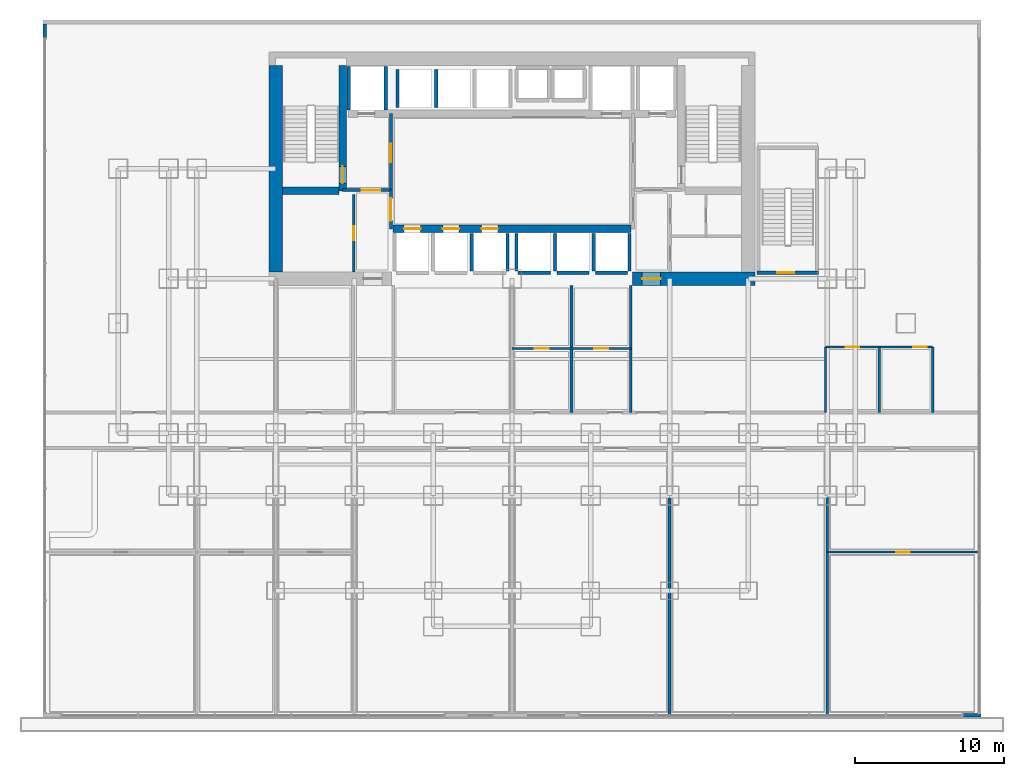
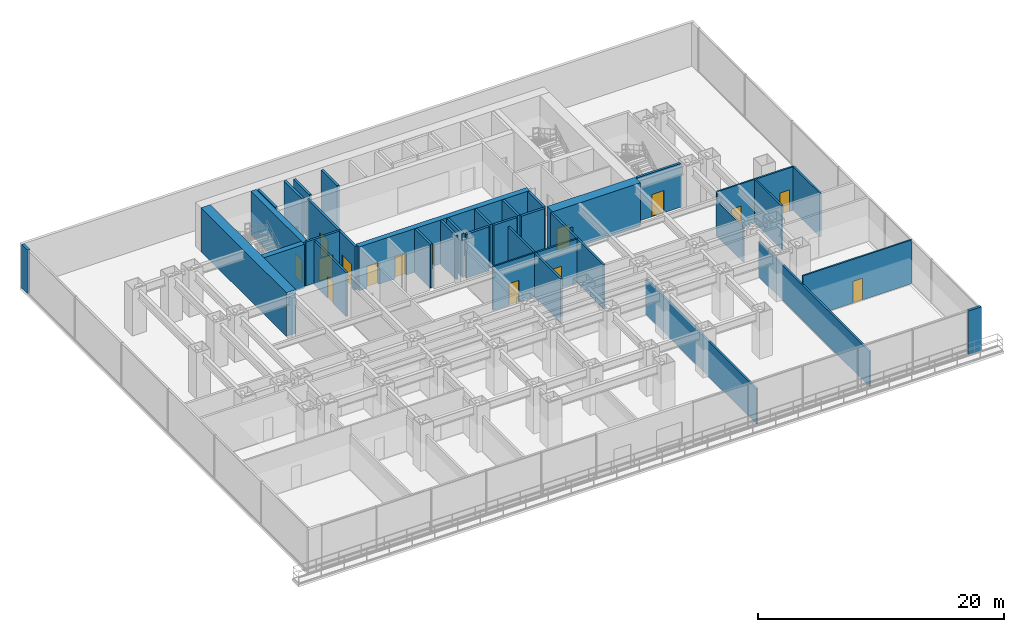
# One storey, part 9 of 13: 35 walls, 15 doors, 15 openings.
"""IFC4 building model written with IfcOpenShell, lengths in metres."""

from ifc_helpers import new_model, si_unit, direction, frame, frame_2d, origin, place, context, subcontext, project, spatial, rectangle, extrude, material, layer, layer_set, type_object, element, fill, save


model = new_model("IFC4")

# Units and contexts
model_context = context("Model", 3, precision=1e-05, world=origin(), true_north=direction((0.0, 1.0)))
body_context = subcontext(model_context, "Body", "Model", "MODEL_VIEW")
ifc_project = project(units=[si_unit("LENGTHUNIT", "METRE"), si_unit("AREAUNIT", "SQUARE_METRE"), si_unit("VOLUMEUNIT", "CUBIC_METRE"), si_unit("PLANEANGLEUNIT", "RADIAN"), si_unit("MASSUNIT", "GRAM", prefix="KILO")], contexts=[model_context])

# Site, building, storey
site_placement = place(None, origin())
site = spatial("IfcSite", under=ifc_project, at=site_placement, CompositionType="ELEMENT")
building_placement = place(site_placement, origin())
building = spatial("IfcBuilding", under=site, at=building_placement, Name="Qianlan Lanfeng Residences", CompositionType="ELEMENT")
storey_placement = place(building_placement, frame((0.0, 0.0, 14.39990234375)))
storey = spatial("IfcBuildingStorey", under=building, at=storey_placement, Name="L03", CompositionType="ELEMENT", Elevation=14.39990234375)

# Wall, opening, door
ifc_material_1 = material(Name="Concrete C70", Category="concrete")
ifc_layer_1 = layer(ifc_material_1, 0.5)
ifc_layer_set_1 = layer_set([ifc_layer_1], Name="Concrete C70")
wall_type_1 = type_object("IfcWallType", Name="CW-RC-500", PredefinedType="SHEAR", material=ifc_layer_set_1)
wall_1_placement = place(storey_placement, frame((15.10009765625, 31.10009765625, 0.0), z_axis=(0.0, 0.0, 1.0), x_axis=(0.0, 1.0, 0.0)))
wall_1 = element("IfcWall", 1, at=wall_1_placement, inside=storey, type_object=wall_type_1, Name="L03 Core Shear Wall ST1E", PredefinedType="SHEAR", context=body_context, shape_type="SweptSolid", body=[
    extrude(rectangle(XDim=8.449951171875, YDim=0.5, at=frame_2d((4.22509765625, 0.0))), origin(), (0.0, 0.0, 1.0), 4.340087890625),
])
opening_1_placement = place(wall_1_placement, frame((0.510009765625, 0.0, 0.0)))
opening_1 = element("IfcOpeningElement", 2, at=opening_1_placement, cuts=wall_1, Name="Opening L03-D07", PredefinedType="OPENING", context=body_context, shape_type="SweptSolid", body=[
    extrude(rectangle(XDim=1.14990234375, YDim=2.199951171875, at=frame_2d((0.574951171875, 1.10009765625))), frame((0.0, 0.260009765625, 0.0), z_axis=(0.0, -1.0, 0.0), x_axis=(1.0, 0.0, 0.0)), (0.0, 0.0, 1.0), 0.52001953125),
])
ifc_material_2 = material(Name="Painted Galvanised Steel Fire Door", Category="steel")
door_type_1 = type_object("IfcDoorType", Name="DT-ST1", OperationType="NOTDEFINED", PredefinedType="DOOR", material=ifc_material_2)
door_1_placement = place(opening_1_placement, frame((1.14990234375, 0.0, 0.0), z_axis=(0.0, 0.0, 1.0), x_axis=(-1.0, 0.0, 0.0)))
door_1 = element("IfcDoor", 3, at=door_1_placement, inside=storey, type_object=door_type_1, Name="L03 Exit Stair ST-1 Door L03-D07 (DT-ST1)", OperationType="SINGLE_SWING_RIGHT", OverallHeight=2.199951171875, OverallWidth=1.14990234375, PredefinedType="DOOR", context=body_context, shape_type="SweptSolid", body=[
    extrude(rectangle(XDim=1.14990234375, YDim=2.199951171875, at=frame_2d((0.574951171875, 1.10009765625))), frame((0.0, 0.02490234375, 0.0), z_axis=(0.0, -1.0, 0.0), x_axis=(1.0, 0.0, 0.0)), (0.0, 0.0, 1.0), 0.050048828125),
])
fill(opening_1, door_1)

# Wall
wall_2_placement = place(storey_placement, frame((11.050048828125, 31.10009765625, 0.0), z_axis=(0.0, 0.0, 1.0), x_axis=(1.0, 0.0, 0.0)))
element("IfcWall", 4, at=wall_2_placement, inside=storey, type_object=wall_type_1, Name="L03 Core Shear Wall ST1S", PredefinedType="SHEAR", context=body_context, shape_type="SweptSolid", body=[
    extrude(rectangle(XDim=3.800048828125, YDim=0.5, at=frame_2d((1.89990234375, 0.0))), origin(), (0.0, 0.0, 1.0), 4.340087890625),
])

# Wall, openings, doors
wall_3_placement = place(storey_placement, frame((18.5, 28.550048828125, 0.0), z_axis=(0.0, 0.0, 1.0), x_axis=(1.0, 0.0, 0.0)))
wall_3 = element("IfcWall", 5, at=wall_3_placement, inside=storey, type_object=wall_type_1, Name="L03 Core Shear Wall LBS", PredefinedType="SHEAR", context=body_context, shape_type="SweptSolid", body=[
    extrude(rectangle(XDim=16.0, YDim=0.5, at=frame_2d((8.0, 0.0))), origin(), (0.0, 0.0, 1.0), 4.340087890625),
])
opening_2_placement = place(wall_3_placement, frame((0.75, 0.0, 0.0)))
opening_2 = element("IfcOpeningElement", 6, at=opening_2_placement, cuts=wall_3, Name="Opening L03-LD-PL-L1", PredefinedType="OPENING", context=body_context, shape_type="SweptSolid", body=[
    extrude(rectangle(XDim=1.10009765625, YDim=2.14990234375, at=frame_2d((0.550048828125, 1.074951171875))), frame((0.0, 0.260009765625, 0.0), z_axis=(0.0, -1.0, 0.0), x_axis=(1.0, 0.0, 0.0)), (0.0, 0.0, 1.0), 0.52001953125),
])
opening_3_placement = place(wall_3_placement, frame((3.35009765625, 0.0, 0.0)))
opening_3 = element("IfcOpeningElement", 7, at=opening_3_placement, cuts=wall_3, Name="Opening L03-LD-PL-L2", PredefinedType="OPENING", context=body_context, shape_type="SweptSolid", body=[
    extrude(rectangle(XDim=1.10009765625, YDim=2.14990234375, at=frame_2d((0.550048828125, 1.074951171875))), frame((0.0, 0.260009765625, 0.0), z_axis=(0.0, -1.0, 0.0), x_axis=(1.0, 0.0, 0.0)), (0.0, 0.0, 1.0), 0.52001953125),
])
opening_4_placement = place(wall_3_placement, frame((5.949951171875, 0.0, 0.0)))
opening_4 = element("IfcOpeningElement", 8, at=opening_4_placement, cuts=wall_3, Name="Opening L03-LD-PL-L3", PredefinedType="OPENING", context=body_context, shape_type="SweptSolid", body=[
    extrude(rectangle(XDim=1.10009765625, YDim=2.14990234375, at=frame_2d((0.550048828125, 1.074951171875))), frame((0.0, 0.260009765625, 0.0), z_axis=(0.0, -1.0, 0.0), x_axis=(1.0, 0.0, 0.0)), (0.0, 0.0, 1.0), 0.52001953125),
])
ifc_material_3 = material(Name="Brushed Stainless Steel Sliding Lift Door", Category="steel")
door_type_2 = type_object("IfcDoorType", Name="LD-01", OperationType="NOTDEFINED", PredefinedType="DOOR", material=ifc_material_3)
door_2_placement = place(opening_2_placement, origin())
door_2 = element("IfcDoor", 9, at=door_2_placement, inside=storey, type_object=door_type_2, Name="L03 Elevator PL-L1 Sliding Landing Door", OperationType="DOUBLE_DOOR_SLIDING", OverallHeight=2.14990234375, OverallWidth=1.10009765625, PredefinedType="DOOR", context=body_context, shape_type="SweptSolid", body=[
    extrude(rectangle(XDim=1.10009765625, YDim=2.14990234375, at=frame_2d((0.550048828125, 1.074951171875))), frame((0.0, 0.02490234375, 0.0), z_axis=(0.0, -1.0, 0.0), x_axis=(1.0, 0.0, 0.0)), (0.0, 0.0, 1.0), 0.050048828125),
])
fill(opening_2, door_2)
door_3_placement = place(opening_3_placement, origin())
door_3 = element("IfcDoor", 10, at=door_3_placement, inside=storey, type_object=door_type_2, Name="L03 Elevator PL-L2 Sliding Landing Door", OperationType="DOUBLE_DOOR_SLIDING", OverallHeight=2.14990234375, OverallWidth=1.10009765625, PredefinedType="DOOR", context=body_context, shape_type="SweptSolid", body=[
    extrude(rectangle(XDim=1.10009765625, YDim=2.14990234375, at=frame_2d((0.550048828125, 1.074951171875))), frame((0.0, 0.02490234375, 0.0), z_axis=(0.0, -1.0, 0.0), x_axis=(1.0, 0.0, 0.0)), (0.0, 0.0, 1.0), 0.050048828125),
])
fill(opening_3, door_3)
door_4_placement = place(opening_4_placement, origin())
door_4 = element("IfcDoor", 11, at=door_4_placement, inside=storey, type_object=door_type_2, Name="L03 Elevator PL-L3 Sliding Landing Door", OperationType="DOUBLE_DOOR_SLIDING", OverallHeight=2.14990234375, OverallWidth=1.10009765625, PredefinedType="DOOR", context=body_context, shape_type="SweptSolid", body=[
    extrude(rectangle(XDim=1.10009765625, YDim=2.14990234375, at=frame_2d((0.550048828125, 1.074951171875))), frame((0.0, 0.02490234375, 0.0), z_axis=(0.0, -1.0, 0.0), x_axis=(1.0, 0.0, 0.0)), (0.0, 0.0, 1.0), 0.050048828125),
])
fill(opening_4, door_4)

# Wall
ifc_layer_2 = layer(ifc_material_1, 0.89990234375)
ifc_layer_set_2 = layer_set([ifc_layer_2], Name="Concrete C70")
wall_type_2 = type_object("IfcWallType", Name="CW-RC-900", PredefinedType="SHEAR", material=ifc_layer_set_2)
wall_4_placement = place(storey_placement, frame((10.60009765625, 25.64990234375, 0.0), z_axis=(0.0, 0.0, 1.0), x_axis=(0.0, 1.0, 0.0)))
element("IfcWall", 12, at=wall_4_placement, inside=storey, type_object=wall_type_2, Name="L03 Core Shear Wall W", PredefinedType="SHEAR", context=body_context, shape_type="SweptSolid", body=[
    extrude(rectangle(XDim=13.900146484375, YDim=0.89990234375, at=frame_2d((6.9501953125, 0.0))), origin(), (0.0, 0.0, 1.0), 4.340087890625),
])

# Wall, opening, door
wall_5_placement = place(storey_placement, frame((34.60009765625, 25.199951171875, 0.0), z_axis=(0.0, 0.0, 1.0), x_axis=(1.0, 0.0, 0.0)))
wall_5 = element("IfcWall", 13, at=wall_5_placement, inside=storey, type_object=wall_type_2, Name="L03 Core Shear Wall SE", PredefinedType="SHEAR", context=body_context, shape_type="SweptSolid", body=[
    extrude(rectangle(XDim=8.25, YDim=0.89990234375, at=frame_2d((4.125, 0.0))), origin(), (0.0, 0.0, 1.0), 4.340087890625),
])
opening_5_placement = place(wall_5_placement, frame((0.64990234375, 0.0, 0.0)))
opening_5 = element("IfcOpeningElement", 14, at=opening_5_placement, cuts=wall_5, Name="Opening L03-D02", PredefinedType="OPENING", context=body_context, shape_type="SweptSolid", body=[
    extrude(rectangle(XDim=1.25, YDim=2.199951171875, at=frame_2d((0.625, 1.10009765625))), frame((0.0, 0.4599609375, 0.0), z_axis=(0.0, -1.0, 0.0), x_axis=(1.0, 0.0, 0.0)), (0.0, 0.0, 1.0), 0.919921875),
])
door_type_3 = type_object("IfcDoorType", Name="DT-FFL", OperationType="NOTDEFINED", PredefinedType="DOOR", material=ifc_material_2)
door_5_placement = place(opening_5_placement, frame((1.25, 0.0, 0.0), z_axis=(0.0, 0.0, 1.0), x_axis=(-1.0, 0.0, 0.0)))
door_5 = element("IfcDoor", 15, at=door_5_placement, inside=storey, type_object=door_type_3, Name="L03 East Core Lobby Smoke Door L03-D02 (DT-FFL)", OperationType="SINGLE_SWING_LEFT", OverallHeight=2.199951171875, OverallWidth=1.25, PredefinedType="DOOR", context=body_context, shape_type="SweptSolid", body=[
    extrude(rectangle(XDim=1.25, YDim=2.199951171875, at=frame_2d((0.625, 1.10009765625))), frame((0.0, 0.02490234375, 0.0), z_axis=(0.0, -1.0, 0.0), x_axis=(1.0, 0.0, 0.0)), (0.0, 0.0, 1.0), 0.050048828125),
])
fill(opening_5, door_5)

# Walls
ifc_material_4 = material(Name="Concrete C42", Category="concrete")
ifc_layer_3 = layer(ifc_material_4, 0.239990234375)
ifc_layer_set_3 = layer_set([ifc_layer_3], Name="Concrete C42")
wall_type_3 = type_object("IfcWallType", Name="EW-240", PredefinedType="SOLIDWALL", material=ifc_layer_set_3)
wall_6_placement = place(storey_placement, frame((56.85009765625, -4.179931640625, 0.0), z_axis=(0.0, 0.0, 1.0), x_axis=(1.0, 0.0, 0.0)))
element("IfcWall", 16, at=wall_6_placement, inside=storey, type_object=wall_type_3, Name="L03 SE Corner Pier", PredefinedType="SOLIDWALL", context=body_context, shape_type="SweptSolid", body=[
    extrude(rectangle(XDim=1.199951171875, YDim=0.239990234375, at=frame_2d((0.60009765625, 0.0))), origin(), (0.0, 0.0, 1.0), 4.340087890625),
])
wall_7_placement = place(storey_placement, frame((-4.929931640625, 42.340087890625, 0.0), z_axis=(0.0, 0.0, 1.0), x_axis=(0.0, -1.0, 0.0)))
element("IfcWall", 17, at=wall_7_placement, inside=storey, type_object=wall_type_3, Name="L03 NW Corner Pier", PredefinedType="SOLIDWALL", context=body_context, shape_type="SweptSolid", body=[
    extrude(rectangle(XDim=0.940185546875, YDim=0.239990234375, at=frame_2d((0.47021484375, 0.0))), origin(), (0.0, 0.0, 1.0), 4.340087890625),
])

# Wall, opening, door
ifc_material_5 = material(Name="Acoustic Drywall Partition 150 mm")
ifc_layer_4 = layer(ifc_material_5, 0.14990234375)
ifc_layer_set_4 = layer_set([ifc_layer_4], Name="Acoustic Drywall Partition 150 mm")
wall_type_4 = type_object("IfcWallType", Name="PW-150", PredefinedType="PARTITIONING", material=ifc_layer_set_4)
wall_8_placement = place(storey_placement, frame((47.699951171875, 6.800048828125, 0.0), z_axis=(0.0, 0.0, 1.0), x_axis=(1.0, 0.0, 0.0)))
wall_8 = element("IfcWall", 18, at=wall_8_placement, inside=storey, type_object=wall_type_4, Name="L03 Executive Suite Inner Wall 4", PredefinedType="PARTITIONING", context=body_context, shape_type="SweptSolid", body=[
    extrude(rectangle(XDim=10.22998046875, YDim=0.14990234375, at=frame_2d((5.114990234375, 0.0))), origin(), (0.0, 0.0, 1.0), 4.340087890625),
])
opening_6_placement = place(wall_8_placement, frame((4.655029296875, 0.0, 0.0)))
opening_6 = element("IfcOpeningElement", 19, at=opening_6_placement, cuts=wall_8, Name="Opening L03-D19", PredefinedType="OPENING", context=body_context, shape_type="SweptSolid", body=[
    extrude(rectangle(XDim=0.919921875, YDim=2.14990234375, at=frame_2d((0.4599609375, 1.074951171875))), frame((0.0, 0.0849609375, 0.0), z_axis=(0.0, -1.0, 0.0), x_axis=(1.0, 0.0, 0.0)), (0.0, 0.0, 1.0), 0.169921875),
])
ifc_material_6 = material(Name="Glazed Timber Kitchen/Study Door", Category="wood")
door_type_4 = type_object("IfcDoorType", Name="DT-INT", OperationType="NOTDEFINED", PredefinedType="DOOR", material=ifc_material_6)
door_6_placement = place(opening_6_placement, origin())
door_6 = element("IfcDoor", 20, at=door_6_placement, inside=storey, type_object=door_type_4, Name="L03 Executive Salon 4 Door L03-D19 (DT-INT)", OperationType="SINGLE_SWING_LEFT", OverallHeight=2.14990234375, OverallWidth=0.919921875, PredefinedType="DOOR", context=body_context, shape_type="SweptSolid", body=[
    extrude(rectangle(XDim=0.919921875, YDim=2.14990234375, at=frame_2d((0.4599609375, 1.074951171875))), frame((0.0, 0.02490234375, 0.0), z_axis=(0.0, -1.0, 0.0), x_axis=(1.0, 0.0, 0.0)), (0.0, 0.0, 1.0), 0.050048828125),
])
fill(opening_6, door_6)

# Wall, openings, doors
wall_9_placement = place(storey_placement, frame((26.5, 20.5, 0.0), z_axis=(0.0, 0.0, 1.0), x_axis=(1.0, 0.0, 0.0)))
wall_9 = element("IfcWall", 21, at=wall_9_placement, inside=storey, type_object=wall_type_4, Name="L03 Catering Kitchen Back Wall", PredefinedType="PARTITIONING", context=body_context, shape_type="SweptSolid", body=[
    extrude(rectangle(XDim=8.0, YDim=0.14990234375, at=frame_2d((4.0, 0.0))), origin(), (0.0, 0.0, 1.0), 4.340087890625),
])
opening_7_placement = place(wall_9_placement, frame((1.5400390625, 0.0, 0.0)))
opening_7 = element("IfcOpeningElement", 22, at=opening_7_placement, cuts=wall_9, Name="Opening L03-D27", PredefinedType="OPENING", context=body_context, shape_type="SweptSolid", body=[
    extrude(rectangle(XDim=0.919921875, YDim=2.14990234375, at=frame_2d((0.4599609375, 1.074951171875))), frame((0.0, 0.0849609375, 0.0), z_axis=(0.0, -1.0, 0.0), x_axis=(1.0, 0.0, 0.0)), (0.0, 0.0, 1.0), 0.169921875),
])
opening_8_placement = place(wall_9_placement, frame((5.5400390625, 0.0, 0.0)))
opening_8 = element("IfcOpeningElement", 23, at=opening_8_placement, cuts=wall_9, Name="Opening L03-D28", PredefinedType="OPENING", context=body_context, shape_type="SweptSolid", body=[
    extrude(rectangle(XDim=0.919921875, YDim=2.14990234375, at=frame_2d((0.4599609375, 1.074951171875))), frame((0.0, 0.0849609375, 0.0), z_axis=(0.0, -1.0, 0.0), x_axis=(1.0, 0.0, 0.0)), (0.0, 0.0, 1.0), 0.169921875),
])
door_7_placement = place(opening_7_placement, origin())
door_7 = element("IfcDoor", 24, at=door_7_placement, inside=storey, type_object=door_type_4, Name="L03 Pantry Prep Kitchen Door L03-D27 (DT-INT)", OperationType="SINGLE_SWING_LEFT", OverallHeight=2.14990234375, OverallWidth=0.919921875, PredefinedType="DOOR", context=body_context, shape_type="SweptSolid", body=[
    extrude(rectangle(XDim=0.919921875, YDim=2.14990234375, at=frame_2d((0.4599609375, 1.074951171875))), frame((0.0, 0.02490234375, 0.0), z_axis=(0.0, -1.0, 0.0), x_axis=(1.0, 0.0, 0.0)), (0.0, 0.0, 1.0), 0.050048828125),
])
fill(opening_7, door_7)
door_8_placement = place(opening_8_placement, origin())
door_8 = element("IfcDoor", 25, at=door_8_placement, inside=storey, type_object=door_type_4, Name="L03 Club Reading Salon Inner Door L03-D28 (DT-INT)", OperationType="SINGLE_SWING_RIGHT", OverallHeight=2.14990234375, OverallWidth=0.919921875, PredefinedType="DOOR", context=body_context, shape_type="SweptSolid", body=[
    extrude(rectangle(XDim=0.919921875, YDim=2.14990234375, at=frame_2d((0.4599609375, 1.074951171875))), frame((0.0, 0.02490234375, 0.0), z_axis=(0.0, -1.0, 0.0), x_axis=(1.0, 0.0, 0.0)), (0.0, 0.0, 1.0), 0.050048828125),
])
fill(opening_8, door_8)

# Walls
wall_10_placement = place(storey_placement, frame((47.60009765625, 16.199951171875, 0.0), z_axis=(0.0, 0.0, 1.0), x_axis=(0.0, 1.0, 0.0)))
element("IfcWall", 26, at=wall_10_placement, inside=storey, type_object=wall_type_4, Name="L03 Restroom West Wall", PredefinedType="PARTITIONING", context=body_context, shape_type="SweptSolid", body=[
    extrude(rectangle(XDim=4.400146484375, YDim=0.14990234375, at=frame_2d((2.2001953125, 0.0))), origin(), (0.0, 0.0, 1.0), 3.485107421875),
])
for number, where, z_axis, x_axis, name in (
    (27, (51.199951171875, 16.199951171875, 0.0), (0.0, 0.0, 1.0), (0.0, 1.0, 0.0), "L03 Restroom Divider"),
    (28, (54.800048828125, 16.199951171875, 0.0), (0.0, 0.0, 1.0), (0.0, 1.0, 0.0), "L03 Restroom East Wall"),
):
    element("IfcWall", number, at=place(storey_placement, frame(where, z_axis=z_axis, x_axis=x_axis)), inside=storey, type_object=wall_type_4, Name=name, PredefinedType="PARTITIONING", context=body_context, shape_type="SweptSolid", body=[
        extrude(rectangle(XDim=4.400146484375, YDim=0.14990234375, at=frame_2d((2.2001953125, 0.0))), origin(), (0.0, 0.0, 1.0), 4.340087890625),
    ])

# Wall, openings, doors
wall_11_placement = place(storey_placement, frame((47.60009765625, 20.60009765625, 0.0), z_axis=(0.0, 0.0, 1.0), x_axis=(1.0, 0.0, 0.0)))
wall_11 = element("IfcWall", 29, at=wall_11_placement, inside=storey, type_object=wall_type_4, Name="L03 Restroom North Wall", PredefinedType="PARTITIONING", context=body_context, shape_type="SweptSolid", body=[
    extrude(rectangle(XDim=7.199951171875, YDim=0.14990234375, at=frame_2d((3.60009765625, 0.0))), origin(), (0.0, 0.0, 1.0), 4.340087890625),
])
opening_9_placement = place(wall_11_placement, frame((1.35009765625, 0.0, 0.0)))
opening_9 = element("IfcOpeningElement", 30, at=opening_9_placement, cuts=wall_11, Name="Opening L03-D37", PredefinedType="OPENING", context=body_context, shape_type="SweptSolid", body=[
    extrude(rectangle(XDim=0.89990234375, YDim=2.14990234375, at=frame_2d((0.449951171875, 1.074951171875))), frame((0.0, 0.0849609375, 0.0), z_axis=(0.0, -1.0, 0.0), x_axis=(1.0, 0.0, 0.0)), (0.0, 0.0, 1.0), 0.169921875),
])
opening_10_placement = place(wall_11_placement, frame((5.89990234375, 0.0, 0.0)))
opening_10 = element("IfcOpeningElement", 31, at=opening_10_placement, cuts=wall_11, Name="Opening L03-D38", PredefinedType="OPENING", context=body_context, shape_type="SweptSolid", body=[
    extrude(rectangle(XDim=0.89990234375, YDim=2.14990234375, at=frame_2d((0.449951171875, 1.074951171875))), frame((0.0, 0.0849609375, 0.0), z_axis=(0.0, -1.0, 0.0), x_axis=(1.0, 0.0, 0.0)), (0.0, 0.0, 1.0), 0.169921875),
])
ifc_material_7 = material(Name="Moisture-Resistant Timber Leaf", Category="wood")
door_type_5 = type_object("IfcDoorType", Name="DT-WC", OperationType="NOTDEFINED", PredefinedType="DOOR", material=ifc_material_7)
door_9_placement = place(opening_9_placement, origin())
door_9 = element("IfcDoor", 32, at=door_9_placement, inside=storey, type_object=door_type_5, Name="L03 Podium Public Restroom Door L03-D37 (DT-WC)", OperationType="SINGLE_SWING_LEFT", OverallHeight=2.14990234375, OverallWidth=0.89990234375, PredefinedType="DOOR", context=body_context, shape_type="SweptSolid", body=[
    extrude(rectangle(XDim=0.89990234375, YDim=2.14990234375, at=frame_2d((0.449951171875, 1.074951171875))), frame((0.0, 0.02490234375, 0.0), z_axis=(0.0, -1.0, 0.0), x_axis=(1.0, 0.0, 0.0)), (0.0, 0.0, 1.0), 0.050048828125),
])
fill(opening_9, door_9)
door_10_placement = place(opening_10_placement, frame((0.89990234375, 0.0, 0.0), z_axis=(0.0, 0.0, 1.0), x_axis=(-1.0, 0.0, 0.0)))
door_10 = element("IfcDoor", 33, at=door_10_placement, inside=storey, type_object=door_type_5, Name="L03 Podium Accessible WC Door L03-D38 (DT-WC)", OperationType="SINGLE_SWING_LEFT", OverallHeight=2.14990234375, OverallWidth=0.89990234375, PredefinedType="DOOR", context=body_context, shape_type="SweptSolid", body=[
    extrude(rectangle(XDim=0.89990234375, YDim=2.14990234375, at=frame_2d((0.449951171875, 1.074951171875))), frame((0.0, 0.02490234375, 0.0), z_axis=(0.0, -1.0, 0.0), x_axis=(1.0, 0.0, 0.0)), (0.0, 0.0, 1.0), 0.050048828125),
])
fill(opening_10, door_10)

# Wall, opening, door
ifc_material_8 = material(Name="Double-Layer Acoustic Gypsum Stud Wall 180 mm")
ifc_layer_5 = layer(ifc_material_8, 0.179931640625)
ifc_layer_set_5 = layer_set([ifc_layer_5], Name="Double-Layer Acoustic Gypsum Stud Wall 180 mm")
wall_type_5 = type_object("IfcWallType", Name="PW-180", PredefinedType="PARTITIONING", material=ifc_layer_set_5)
wall_12_placement = place(storey_placement, frame((15.85009765625, 25.64990234375, 0.0), z_axis=(0.0, 0.0, 1.0), x_axis=(0.0, 1.0, 0.0)))
wall_12 = element("IfcWall", 34, at=wall_12_placement, inside=storey, type_object=wall_type_5, Name="L03 Core West Service Room Wall", PredefinedType="PARTITIONING", context=body_context, shape_type="SweptSolid", body=[
    extrude(rectangle(XDim=5.2001953125, YDim=0.179931640625, at=frame_2d((2.60009765625, 0.0))), origin(), (0.0, 0.0, 1.0), 4.340087890625),
])
opening_11_placement = place(wall_12_placement, frame((2.139892578125, 0.0, 0.0)))
opening_11 = element("IfcOpeningElement", 35, at=opening_11_placement, cuts=wall_12, Name="Opening L03-D09", PredefinedType="OPENING", context=body_context, shape_type="SweptSolid", body=[
    extrude(rectangle(XDim=0.919921875, YDim=2.14990234375, at=frame_2d((0.4599609375, 1.074951171875))), frame((0.0, 0.10009765625, 0.0), z_axis=(0.0, -1.0, 0.0), x_axis=(1.0, 0.0, 0.0)), (0.0, 0.0, 1.0), 0.199951171875),
])
door_11_placement = place(opening_11_placement, origin())
door_11 = element("IfcDoor", 36, at=door_11_placement, inside=storey, type_object=door_type_4, Name="L03 Storage Room Door L03-D09 (DT-INT)", OperationType="SINGLE_SWING_LEFT", OverallHeight=2.14990234375, OverallWidth=0.919921875, PredefinedType="DOOR", context=body_context, shape_type="SweptSolid", body=[
    extrude(rectangle(XDim=0.919921875, YDim=2.14990234375, at=frame_2d((0.4599609375, 1.074951171875))), frame((0.0, 0.02490234375, 0.0), z_axis=(0.0, -1.0, 0.0), x_axis=(1.0, 0.0, 0.0)), (0.0, 0.0, 1.0), 0.050048828125),
])
fill(opening_11, door_11)

# Walls
for number, where, z_axis, x_axis, name in (
    (37, (37.10009765625, -4.179931640625, 0.0), (0.0, 0.0, 1.0), (0.0, 1.0, 0.0), "L03 South Suite Partition 5"),
    (38, (47.699951171875, -4.179931640625, 0.0), (0.0, 0.0, 1.0), (0.0, 1.0, 0.0), "L03 South Suite Partition 6"),
):
    element("IfcWall", number, at=place(storey_placement, frame(where, z_axis=z_axis, x_axis=x_axis)), inside=storey, type_object=wall_type_5, Name=name, PredefinedType="PARTITIONING", context=body_context, shape_type="SweptSolid", body=[
        extrude(rectangle(XDim=17.97998046875, YDim=0.179931640625, at=frame_2d((8.989990234375, 0.0))), origin(), (0.0, 0.0, 1.0), 3.485107421875),
    ])
for number, where, z_axis, x_axis, name in (
    (39, (30.5, 16.199951171875, 0.0), (0.0, 0.0, 1.0), (0.0, 1.0, 0.0), "L03 North Kitchen Split Wall"),
    (40, (34.5, 16.199951171875, 0.0), (0.0, 0.0, 1.0), (0.0, 1.0, 0.0), "L03 North Core East Passage Wall"),
):
    element("IfcWall", number, at=place(storey_placement, frame(where, z_axis=z_axis, x_axis=x_axis)), inside=storey, type_object=wall_type_5, Name=name, PredefinedType="PARTITIONING", context=body_context, shape_type="SweptSolid", body=[
        extrude(rectangle(XDim=8.550048828125, YDim=0.179931640625, at=frame_2d((4.27490234375, 0.0))), origin(), (0.0, 0.0, 1.0), 4.340087890625),
    ])

# Wall, opening, door
ifc_material_9 = material(Name="Autoclaved Aerated Concrete Blockwork 200 mm", Category="masonry")
ifc_layer_6 = layer(ifc_material_9, 0.199951171875)
ifc_layer_set_6 = layer_set([ifc_layer_6], Name="Autoclaved Aerated Concrete Blockwork 200 mm")
wall_type_6 = type_object("IfcWallType", Name="PW-200", PredefinedType="PARTITIONING", material=ifc_layer_set_6)
wall_13_placement = place(storey_placement, frame((15.10009765625, 31.14990234375, 0.0), z_axis=(0.0, 0.0, 1.0), x_axis=(1.0, 0.0, 0.0)))
wall_13 = element("IfcWall", 41, at=wall_13_placement, inside=storey, type_object=wall_type_6, Name="L03 Firefighting Lobby 1 South Wall", PredefinedType="PARTITIONING", context=body_context, shape_type="SweptSolid", body=[
    extrude(rectangle(XDim=3.25, YDim=0.199951171875, at=frame_2d((1.625, 0.0))), origin(), (0.0, 0.0, 1.0), 4.340087890625),
])
opening_12_placement = place(wall_13_placement, frame((1.27490234375, 0.0, 0.0)))
opening_12 = element("IfcOpeningElement", 42, at=opening_12_placement, cuts=wall_13, Name="Opening L03-D03", PredefinedType="OPENING", context=body_context, shape_type="SweptSolid", body=[
    extrude(rectangle(XDim=1.25, YDim=2.199951171875, at=frame_2d((0.625, 1.10009765625))), frame((0.0, 0.10986328125, 0.0), z_axis=(0.0, -1.0, 0.0), x_axis=(1.0, 0.0, 0.0)), (0.0, 0.0, 1.0), 0.219970703125),
])
door_12_placement = place(opening_12_placement, origin())
door_12 = element("IfcDoor", 43, at=door_12_placement, inside=storey, type_object=door_type_3, Name="L03 Firefighting Lobby 1 Entry Door L03-D03 (DT-FFL)", OperationType="SINGLE_SWING_LEFT", OverallHeight=2.199951171875, OverallWidth=1.25, PredefinedType="DOOR", context=body_context, shape_type="SweptSolid", body=[
    extrude(rectangle(XDim=1.25, YDim=2.199951171875, at=frame_2d((0.625, 1.10009765625))), frame((0.0, 0.02490234375, 0.0), z_axis=(0.0, -1.0, 0.0), x_axis=(1.0, 0.0, 0.0)), (0.0, 0.0, 1.0), 0.050048828125),
])
fill(opening_12, door_12)

wall_14_placement = place(storey_placement, frame((18.35009765625, 31.14990234375, 0.0), z_axis=(0.0, 0.0, 1.0), x_axis=(0.0, 1.0, 0.0)))
wall_14 = element("IfcWall", 44, at=wall_14_placement, inside=storey, type_object=wall_type_6, Name="L03 Firefighting Lobby 1 East Wall", PredefinedType="PARTITIONING", context=body_context, shape_type="SweptSolid", body=[
    extrude(rectangle(XDim=5.150146484375, YDim=0.199951171875, at=frame_2d((2.5751953125, 0.0))), origin(), (0.0, 0.0, 1.0), 4.340087890625),
])
opening_13_placement = place(wall_14_placement, frame((1.875, 0.0, 0.0)))
opening_13 = element("IfcOpeningElement", 45, at=opening_13_placement, cuts=wall_14, Name="Opening L03-D04", PredefinedType="OPENING", context=body_context, shape_type="SweptSolid", body=[
    extrude(rectangle(XDim=1.25, YDim=2.199951171875, at=frame_2d((0.625, 1.10009765625))), frame((0.0, 0.10986328125, 0.0), z_axis=(0.0, -1.0, 0.0), x_axis=(1.0, 0.0, 0.0)), (0.0, 0.0, 1.0), 0.219970703125),
])
door_13_placement = place(opening_13_placement, origin())
door_13 = element("IfcDoor", 46, at=door_13_placement, inside=storey, type_object=door_type_3, Name="L03 Firefighting Lobby 1 Lift Lobby Door L03-D04 (DT-FFL)", OperationType="SINGLE_SWING_RIGHT", OverallHeight=2.199951171875, OverallWidth=1.25, PredefinedType="DOOR", context=body_context, shape_type="SweptSolid", body=[
    extrude(rectangle(XDim=1.25, YDim=2.199951171875, at=frame_2d((0.625, 1.10009765625))), frame((0.0, 0.02490234375, 0.0), z_axis=(0.0, -1.0, 0.0), x_axis=(1.0, 0.0, 0.0)), (0.0, 0.0, 1.0), 0.050048828125),
])
fill(opening_13, door_13)

wall_15_placement = place(storey_placement, frame((18.35009765625, 28.550048828125, 0.0), z_axis=(0.0, 0.0, 1.0), x_axis=(0.0, 1.0, 0.0)))
wall_15 = element("IfcWall", 47, at=wall_15_placement, inside=storey, type_object=wall_type_6, Name="L03 Lift Lobby West Connector Wall", PredefinedType="PARTITIONING", context=body_context, shape_type="SweptSolid", body=[
    extrude(rectangle(XDim=2.599853515625, YDim=0.199951171875, at=frame_2d((1.2998046875, 0.0))), origin(), (0.0, 0.0, 1.0), 4.340087890625),
])
opening_14_placement = place(wall_15_placement, frame((0.550048828125, 0.0, 0.0)))
opening_14 = element("IfcOpeningElement", 48, at=opening_14_placement, cuts=wall_15, Name="Opening L03-D14", PredefinedType="OPENING", context=body_context, shape_type="SweptSolid", body=[
    extrude(rectangle(XDim=1.5, YDim=2.25, at=frame_2d((0.75, 1.125))), frame((0.0, 0.10986328125, 0.0), z_axis=(0.0, -1.0, 0.0), x_axis=(1.0, 0.0, 0.0)), (0.0, 0.0, 1.0), 0.219970703125),
])
ifc_material_10 = material(Name="Timber Veneer Acoustic Fire Door", Category="wood")
door_type_6 = type_object("IfcDoorType", Name="DT-COR1", OperationType="NOTDEFINED", PredefinedType="DOOR", material=ifc_material_10)
door_14_placement = place(opening_14_placement, origin())
door_14 = element("IfcDoor", 49, at=door_14_placement, inside=storey, type_object=door_type_6, Name="L03 Lift Lobby West Portal Door L03-D14 (DT-COR1)", OperationType="DOUBLE_DOOR_SINGLE_SWING", OverallHeight=2.25, OverallWidth=1.5, PredefinedType="DOOR", context=body_context, shape_type="SweptSolid", body=[
    extrude(rectangle(XDim=1.5, YDim=2.25, at=frame_2d((0.75, 1.125))), frame((0.0, 0.02490234375, 0.0), z_axis=(0.0, -1.0, 0.0), x_axis=(1.0, 0.0, 0.0)), (0.0, 0.0, 1.0), 0.050048828125),
])
fill(opening_14, door_14)

# Walls
ifc_material_11 = material(Name="Concrete C49", Category="concrete")
ifc_layer_7 = layer(ifc_material_11, 0.219970703125)
ifc_layer_set_7 = layer_set([ifc_layer_7], Name="Concrete C49")
wall_type_7 = type_object("IfcWallType", Name="SHW-220", PredefinedType="SOLIDWALL", material=ifc_layer_set_7)
for number, where, z_axis, x_axis, name in (
    (50, (15.52001953125, 36.550048828125, 0.0), (0.0, 0.0, 1.0), (0.0, 1.0, 0.0), "L03 Lift FFL-1 Shaft Wall W"),
    (51, (18.0, 36.550048828125, 0.0), (0.0, 0.0, 1.0), (0.0, 1.0, 0.0), "L03 Lift FFL-1 Shaft Wall E"),
):
    element("IfcWall", number, at=place(storey_placement, frame(where, z_axis=z_axis, x_axis=x_axis)), inside=storey, type_object=wall_type_7, Name=name, PredefinedType="SOLIDWALL", context=body_context, shape_type="SweptSolid", body=[
        extrude(rectangle(XDim=2.929931640625, YDim=0.219970703125, at=frame_2d((1.46484375, 0.0))), origin(), (0.0, 0.0, 1.0), 4.340087890625),
    ])
for number, where, z_axis, x_axis, name in (
    (52, (23.800048828125, 25.719970703125, 0.0), (0.0, 0.0, 1.0), (0.0, 1.0, 0.0), "L03 Lift PL-L3 Shaft Wall W"),
    (53, (26.199951171875, 25.719970703125, 0.0), (0.0, 0.0, 1.0), (0.0, 1.0, 0.0), "L03 Lift PL-L3 Shaft Wall E"),
    (54, (26.800048828125, 25.719970703125, 0.0), (0.0, 0.0, 1.0), (0.0, 1.0, 0.0), "L03 Lift PL-M1 Shaft Wall W"),
):
    element("IfcWall", number, at=place(storey_placement, frame(where, z_axis=z_axis, x_axis=x_axis)), inside=storey, type_object=wall_type_7, Name=name, PredefinedType="SOLIDWALL", context=body_context, shape_type="SweptSolid", body=[
        extrude(rectangle(XDim=2.530029296875, YDim=0.219970703125, at=frame_2d((1.26513671875, 0.0))), origin(), (0.0, 0.0, 1.0), 4.340087890625),
    ])
wall_16_placement = place(storey_placement, frame((26.919921875, 25.60009765625, 0.0), z_axis=(0.0, 0.0, 1.0), x_axis=(1.0, 0.0, 0.0)))
element("IfcWall", 55, at=wall_16_placement, inside=storey, type_object=wall_type_7, Name="L03 Lift PL-M1 Shaft Back Wall S", PredefinedType="SOLIDWALL", context=body_context, shape_type="SweptSolid", body=[
    extrude(rectangle(XDim=2.16015625, YDim=0.219970703125, at=frame_2d((1.080078125, 0.0))), origin(), (0.0, 0.0, 1.0), 4.340087890625),
])
wall_17_placement = place(storey_placement, frame((29.39990234375, 25.719970703125, 0.0), z_axis=(0.0, 0.0, 1.0), x_axis=(0.0, 1.0, 0.0)))
element("IfcWall", 56, at=wall_17_placement, inside=storey, type_object=wall_type_7, Name="L03 Lift PL-M2 Shaft Wall W", PredefinedType="SOLIDWALL", context=body_context, shape_type="SweptSolid", body=[
    extrude(rectangle(XDim=2.530029296875, YDim=0.219970703125, at=frame_2d((1.26513671875, 0.0))), origin(), (0.0, 0.0, 1.0), 4.340087890625),
])
wall_18_placement = place(storey_placement, frame((29.52001953125, 25.60009765625, 0.0), z_axis=(0.0, 0.0, 1.0), x_axis=(1.0, 0.0, 0.0)))
element("IfcWall", 57, at=wall_18_placement, inside=storey, type_object=wall_type_7, Name="L03 Lift PL-M2 Shaft Back Wall S", PredefinedType="SOLIDWALL", context=body_context, shape_type="SweptSolid", body=[
    extrude(rectangle(XDim=2.159912109375, YDim=0.219970703125, at=frame_2d((1.080078125, 0.0))), origin(), (0.0, 0.0, 1.0), 4.340087890625),
])
for number, where, z_axis, x_axis, name in (
    (58, (32.0, 25.719970703125, 0.0), (0.0, 0.0, 1.0), (0.0, 1.0, 0.0), "L03 Lift PL-M3 Shaft Wall W"),
    (59, (34.39990234375, 25.719970703125, 0.0), (0.0, 0.0, 1.0), (0.0, 1.0, 0.0), "L03 Lift PL-M3 Shaft Wall E"),
):
    element("IfcWall", number, at=place(storey_placement, frame(where, z_axis=z_axis, x_axis=x_axis)), inside=storey, type_object=wall_type_7, Name=name, PredefinedType="SOLIDWALL", context=body_context, shape_type="SweptSolid", body=[
        extrude(rectangle(XDim=2.530029296875, YDim=0.219970703125, at=frame_2d((1.26513671875, 0.0))), origin(), (0.0, 0.0, 1.0), 4.340087890625),
    ])
wall_19_placement = place(storey_placement, frame((32.1201171875, 25.60009765625, 0.0), z_axis=(0.0, 0.0, 1.0), x_axis=(1.0, 0.0, 0.0)))
element("IfcWall", 60, at=wall_19_placement, inside=storey, type_object=wall_type_7, Name="L03 Lift PL-M3 Shaft Back Wall S", PredefinedType="SOLIDWALL", context=body_context, shape_type="SweptSolid", body=[
    extrude(rectangle(XDim=2.159912109375, YDim=0.219970703125, at=frame_2d((1.080078125, 0.0))), origin(), (0.0, 0.0, 1.0), 4.340087890625),
])
for number, where, z_axis, x_axis, name in (
    (61, (18.800048828125, 36.719970703125, 0.0), (0.0, 0.0, 1.0), (0.0, 1.0, 0.0), "L03 Lift PL-H1 Shaft Wall W"),
    (62, (21.39990234375, 36.719970703125, 0.0), (0.0, 0.0, 1.0), (0.0, 1.0, 0.0), "L03 Lift PL-H2 Shaft Wall W"),
):
    element("IfcWall", number, at=place(storey_placement, frame(where, z_axis=z_axis, x_axis=x_axis)), inside=storey, type_object=wall_type_7, Name=name, PredefinedType="SOLIDWALL", context=body_context, shape_type="SweptSolid", body=[
        extrude(rectangle(XDim=2.56005859375, YDim=0.219970703125, at=frame_2d((1.280029296875, 0.0))), origin(), (0.0, 0.0, 1.0), 4.340087890625),
    ])

# Wall, opening, door
ifc_layer_8 = layer(ifc_material_11, 0.219970703125)
ifc_layer_set_8 = layer_set([ifc_layer_8], Name="Concrete C49")
wall_type_8 = type_object("IfcWallType", Name="STW-RC-220", PredefinedType="SHEAR", material=ifc_layer_set_8)
wall_20_placement = place(storey_placement, frame((42.969970703125, 25.60009765625, 0.0), z_axis=(0.0, 0.0, 1.0), x_axis=(1.0, 0.0, 0.0)))
wall_20 = element("IfcWall", 63, at=wall_20_placement, inside=storey, type_object=wall_type_8, Name="L03 Stair ST-P1 Enclosure Wall S", PredefinedType="SHEAR", context=body_context, shape_type="SweptSolid", body=[
    extrude(rectangle(XDim=4.159912109375, YDim=0.219970703125, at=frame_2d((2.080078125, 0.0))), origin(), (0.0, 0.0, 1.0), 4.340087890625),
])
opening_15_placement = place(wall_20_placement, frame((1.375, 0.0, 0.0)))
opening_15 = element("IfcOpeningElement", 64, at=opening_15_placement, cuts=wall_20, Name="Opening L03-D13", PredefinedType="OPENING", context=body_context, shape_type="SweptSolid", body=[
    extrude(rectangle(XDim=1.14990234375, YDim=2.199951171875, at=frame_2d((0.574951171875, 1.10009765625))), frame((0.0, 0.1201171875, 0.0), z_axis=(0.0, -1.0, 0.0), x_axis=(1.0, 0.0, 0.0)), (0.0, 0.0, 1.0), 0.239990234375),
])
door_15_placement = place(opening_15_placement, origin())
door_15 = element("IfcDoor", 65, at=door_15_placement, inside=storey, type_object=door_type_1, Name="L03 Podium Exit Stair ST-P1 Door L03-D13 (DT-ST1)", OperationType="SINGLE_SWING_LEFT", OverallHeight=2.199951171875, OverallWidth=1.14990234375, PredefinedType="DOOR", context=body_context, shape_type="SweptSolid", body=[
    extrude(rectangle(XDim=1.14990234375, YDim=2.199951171875, at=frame_2d((0.574951171875, 1.10009765625))), frame((0.0, 0.02490234375, 0.0), z_axis=(0.0, -1.0, 0.0), x_axis=(1.0, 0.0, 0.0)), (0.0, 0.0, 1.0), 0.050048828125),
])
fill(opening_15, door_15)

save(model, "model.ifc")
